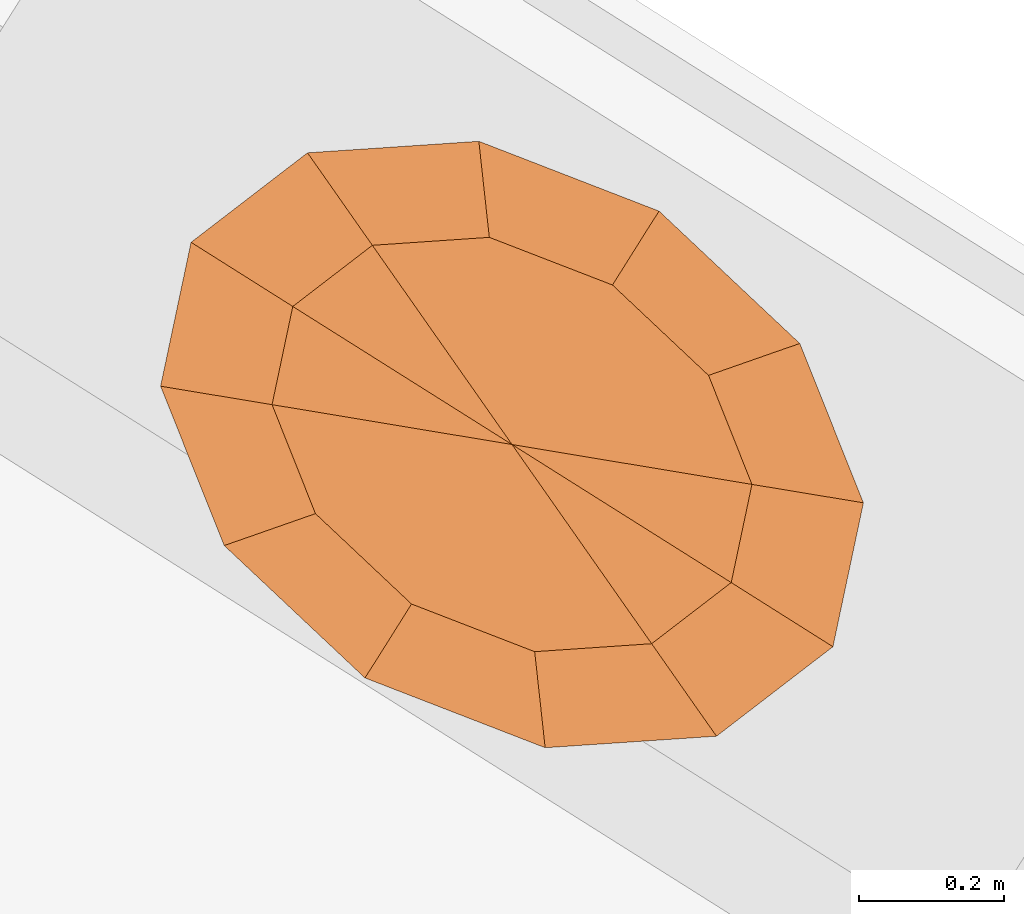
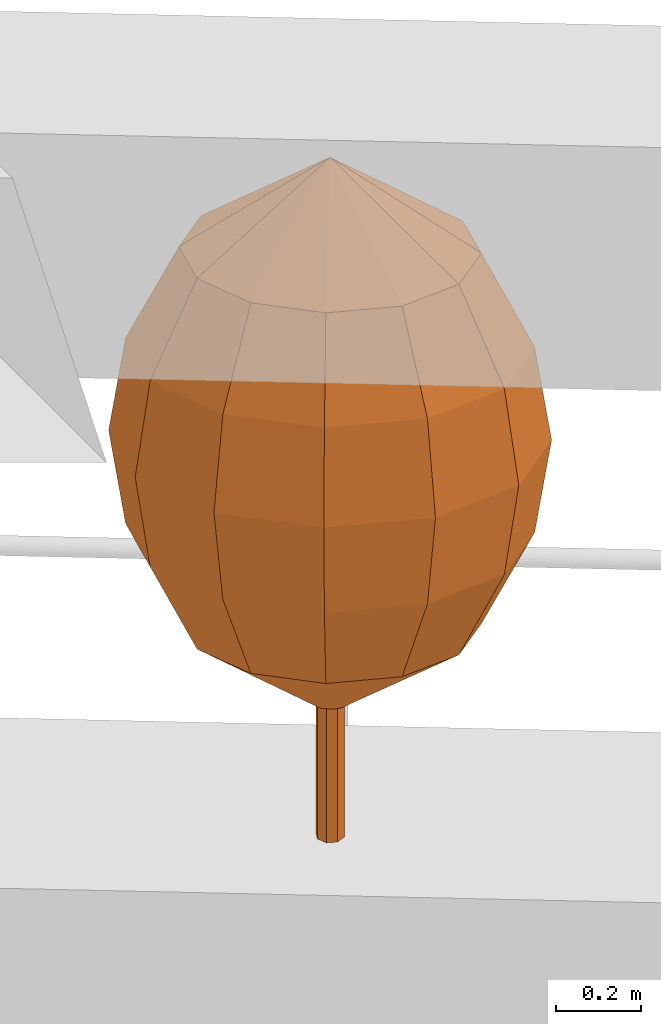
# One storey, part 12 of 12: 1 geographic element.
"""IFC4 building model written with IfcOpenShell, lengths in metres."""

from ifc_helpers import new_model, si_unit, direction, frame, origin, place, context, subcontext, project, spatial, faceted_brep, material, constituent, constituent_set, type_object, element, save


model = new_model("IFC4")

# Units and contexts
model_context = context("Model", 3, precision=1e-05, world=origin(), true_north=direction((0.0, 1.0)))
body_context = subcontext(model_context, "Body", "Model", "MODEL_VIEW")
ifc_project = project(units=[si_unit("LENGTHUNIT", "METRE"), si_unit("AREAUNIT", "SQUARE_METRE"), si_unit("VOLUMEUNIT", "CUBIC_METRE"), si_unit("PLANEANGLEUNIT", "RADIAN"), si_unit("MASSUNIT", "GRAM", prefix="KILO")], contexts=[model_context])

# Site, building, storey
site_placement = place(None, origin())
site = spatial("IfcSite", under=ifc_project, at=site_placement, CompositionType="ELEMENT")
building_placement = place(site_placement, origin())
building = spatial("IfcBuilding", under=site, at=building_placement, Name="Taillehof Tower", CompositionType="ELEMENT")
storey_placement = place(building_placement, frame((0.0, 0.0, 192.5)))
storey = spatial("IfcBuildingStorey", under=building, at=storey_placement, Name="L54", CompositionType="ELEMENT", Elevation=192.5)

# Geographic element
ifc_material_1 = material(Name="Tree bark", Category="timber")
ifc_constituent_1 = constituent(ifc_material_1, Name="Trunk", Category="timber")
ifc_material_2 = material(Name="Tree foliage")
ifc_constituent_2 = constituent(ifc_material_2, Name="Crown")
ifc_constituent_set = constituent_set(constituents=[ifc_constituent_1, ifc_constituent_2], Name="Tree TR2 Fastigiate yew")
geographic_element_type = type_object("IfcGeographicElementType", Name="Tree TR2 Fastigiate yew", PredefinedType="USERDEFINED", material=ifc_constituent_set)
geographic_element_placement = place(storey_placement, frame((15.544921875, 19.98828125, 0.75)))
element("IfcGeographicElement", 1, at=geographic_element_placement, inside=storey, type_object=geographic_element_type, Name="Tree TR2 Fastigiate yew", ObjectType="TREE", PredefinedType="USERDEFINED", context=body_context, shape_type="Brep", body=[
    faceted_brep([(0.034912109375, 0.0, 0.0), (0.024658203125, 0.024658203125, 0.0), (0.024658203125, 0.024658203125, 0.909912109375), (0.034912109375, 0.0, 0.909912109375), (0.0, 0.034912109375, 0.0), (0.0, 0.034912109375, 0.909912109375), (-0.024658203125, 0.024658203125, 0.0), (-0.024658203125, 0.024658203125, 0.909912109375), (-0.034912109375, 0.0, 0.0), (-0.034912109375, 0.0, 0.909912109375), (-0.024658203125, -0.024658203125, 0.0), (-0.024658203125, -0.024658203125, 0.909912109375), (0.0, -0.034912109375, 0.0), (0.0, -0.034912109375, 0.909912109375), (0.024658203125, -0.024658203125, 0.0), (0.024658203125, -0.024658203125, 0.909912109375)], [[[0, 1, 2, 3]], [[1, 4, 5, 2]], [[4, 6, 7, 5]], [[6, 8, 9, 7]], [[8, 10, 11, 9]], [[10, 12, 13, 11]], [[12, 14, 15, 13]], [[14, 0, 3, 15]], [[14, 12, 10, 8, 6, 4, 1, 0]], [[3, 2, 5, 7, 9, 11, 13, 15]]]),
    faceted_brep([(0.0, 0.0, 0.35009765625), (-0.33056640625, 0.054931640625, 0.61669921875), (-0.302001953125, 0.190185546875, 0.61669921875), (-0.270751953125, -0.09521484375, 0.61669921875), (-0.138427734375, -0.2197265625, 0.61669921875), (0.03125, -0.285400390625, 0.61669921875), (0.1923828125, -0.2744140625, 0.61669921875), (0.302001953125, -0.190185546875, 0.61669921875), (0.33056640625, -0.054931640625, 0.61669921875), (0.270751953125, 0.09521484375, 0.61669921875), (0.138427734375, 0.2197265625, 0.61669921875), (-0.03125, 0.285400390625, 0.61669921875), (-0.1923828125, 0.2744140625, 0.61669921875), (-0.447265625, 0.07421875, 0.88330078125), (-0.408447265625, 0.25732421875, 0.88330078125), (-0.3662109375, -0.128662109375, 0.88330078125), (-0.18701171875, -0.297119140625, 0.88330078125), (0.042236328125, -0.385986328125, 0.88330078125), (0.26025390625, -0.371337890625, 0.88330078125), (0.408447265625, -0.25732421875, 0.88330078125), (0.447265625, -0.07421875, 0.88330078125), (0.3662109375, 0.128662109375, 0.88330078125), (0.18701171875, 0.297119140625, 0.88330078125), (-0.042236328125, 0.385986328125, 0.88330078125), (-0.26025390625, 0.371337890625, 0.88330078125), (-0.484130859375, 0.080322265625, 1.14990234375), (-0.442138671875, 0.278564453125, 1.14990234375), (-0.396484375, -0.13916015625, 1.14990234375), (-0.20263671875, -0.321533203125, 1.14990234375), (0.045654296875, -0.417724609375, 1.14990234375), (0.28173828125, -0.40185546875, 1.14990234375), (0.442138671875, -0.278564453125, 1.14990234375), (0.484130859375, -0.080322265625, 1.14990234375), (0.396484375, 0.13916015625, 1.14990234375), (0.20263671875, 0.321533203125, 1.14990234375), (-0.045654296875, 0.417724609375, 1.14990234375), (-0.28173828125, 0.40185546875, 1.14990234375), (-0.447265625, 0.07421875, 1.416748046875), (-0.408447265625, 0.25732421875, 1.416748046875), (-0.3662109375, -0.128662109375, 1.416748046875), (-0.18701171875, -0.297119140625, 1.416748046875), (0.042236328125, -0.385986328125, 1.416748046875), (0.26025390625, -0.371337890625, 1.416748046875), (0.408447265625, -0.25732421875, 1.416748046875), (0.447265625, -0.07421875, 1.416748046875), (0.3662109375, 0.128662109375, 1.416748046875), (0.18701171875, 0.297119140625, 1.416748046875), (-0.042236328125, 0.385986328125, 1.416748046875), (-0.26025390625, 0.371337890625, 1.416748046875), (-0.33056640625, 0.054931640625, 1.683349609375), (-0.302001953125, 0.190185546875, 1.683349609375), (-0.270751953125, -0.09521484375, 1.683349609375), (-0.138427734375, -0.2197265625, 1.683349609375), (0.03125, -0.285400390625, 1.683349609375), (0.1923828125, -0.2744140625, 1.683349609375), (0.302001953125, -0.190185546875, 1.683349609375), (0.33056640625, -0.054931640625, 1.683349609375), (0.270751953125, 0.09521484375, 1.683349609375), (0.138427734375, 0.2197265625, 1.683349609375), (-0.03125, 0.285400390625, 1.683349609375), (-0.1923828125, 0.2744140625, 1.683349609375), (0.0, 0.0, 1.949951171875)], [[[0, 1, 2]], [[0, 3, 1]], [[0, 4, 3]], [[0, 5, 4]], [[0, 6, 5]], [[0, 7, 6]], [[0, 8, 7]], [[0, 9, 8]], [[0, 10, 9]], [[0, 11, 10]], [[0, 12, 11]], [[0, 2, 12]], [[2, 1, 13, 14]], [[1, 3, 15, 13]], [[3, 4, 16, 15]], [[4, 5, 17, 16]], [[5, 6, 18, 17]], [[6, 7, 19, 18]], [[7, 8, 20, 19]], [[8, 9, 21, 20]], [[9, 10, 22, 21]], [[10, 11, 23, 22]], [[11, 12, 24, 23]], [[12, 2, 14, 24]], [[14, 13, 25, 26]], [[13, 15, 27, 25]], [[15, 16, 28, 27]], [[16, 17, 29, 28]], [[17, 18, 30, 29]], [[18, 19, 31, 30]], [[19, 20, 32, 31]], [[20, 21, 33, 32]], [[21, 22, 34, 33]], [[22, 23, 35, 34]], [[23, 24, 36, 35]], [[24, 14, 26, 36]], [[26, 25, 37, 38]], [[25, 27, 39, 37]], [[27, 28, 40, 39]], [[28, 29, 41, 40]], [[29, 30, 42, 41]], [[30, 31, 43, 42]], [[31, 32, 44, 43]], [[32, 33, 45, 44]], [[33, 34, 46, 45]], [[34, 35, 47, 46]], [[35, 36, 48, 47]], [[36, 26, 38, 48]], [[38, 37, 49, 50]], [[37, 39, 51, 49]], [[39, 40, 52, 51]], [[40, 41, 53, 52]], [[41, 42, 54, 53]], [[42, 43, 55, 54]], [[43, 44, 56, 55]], [[44, 45, 57, 56]], [[45, 46, 58, 57]], [[46, 47, 59, 58]], [[47, 48, 60, 59]], [[48, 38, 50, 60]], [[50, 49, 61]], [[49, 51, 61]], [[51, 52, 61]], [[52, 53, 61]], [[53, 54, 61]], [[54, 55, 61]], [[55, 56, 61]], [[56, 57, 61]], [[57, 58, 61]], [[58, 59, 61]], [[59, 60, 61]], [[60, 50, 61]]]),
])

save(model, "model.ifc")
